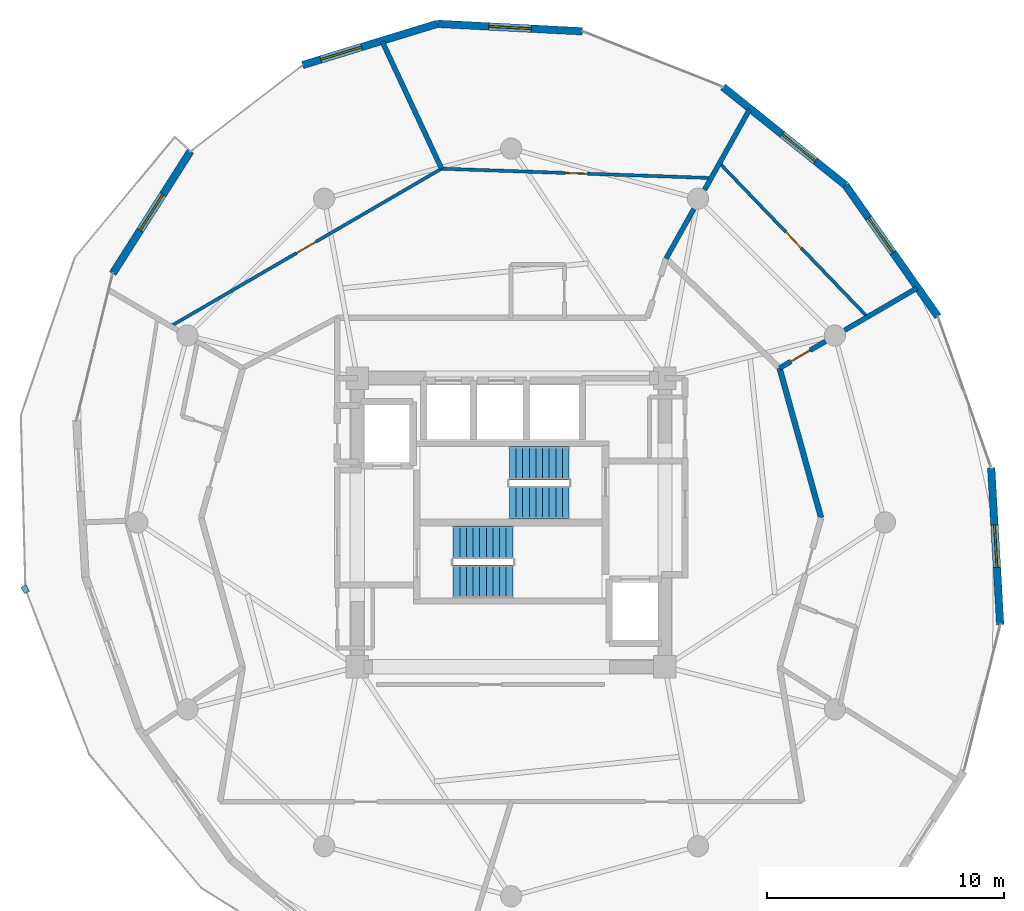
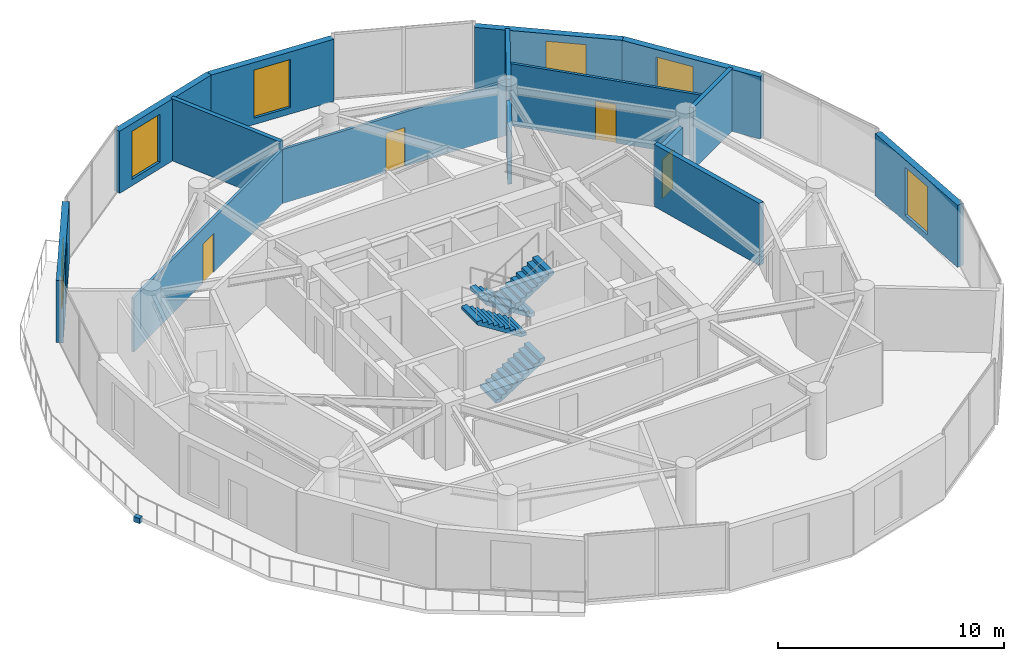
# One storey, part 16 of 18: 15 walls, 6 windows, 4 doors, 4 stair flights, 1 discrete accessory, 10 openings, 2 elements without a shape of their own.
"""IFC4 building model written with IfcOpenShell, lengths in metres."""

import ifcopenshell
import ifcopenshell.guid

model = None  # the IFC model being written
_history = None  # IfcOwnerHistory: only IFC2X3 demands one
_inside = {}  # id of a spatial element -> (the spatial element, [elements in it])
_under = {}  # id of a project, library or spatial element -> (it, [spatial elements below it])
_declared = {}  # id of a project -> (the project, [libraries it declares])
_typed = {}  # id of a type object -> (the type object, [elements of that type])
_made_of = {}  # id of a material, layer set ... -> (it, [elements and type objects made of it])


def new_model(schema):
    """Start an empty IFC model of exactly this schema.

    Asked for "IFC4X3", IfcOpenShell would pick the latest addendum, in which some entities
    have other attributes; the version numbers below select the first issue.
    IFC2X3 requires an IfcOwnerHistory on every rooted entity: one is made here for all.
    """
    global model, _history
    if schema == "IFC4X3":
        model = ifcopenshell.file(schema_version=(4, 3, 0, 0))
    else:
        model = ifcopenshell.file(schema=schema)
    _inside.clear()
    _under.clear()
    _declared.clear()
    _typed.clear()
    _made_of.clear()
    _history = None
    if model.schema == "IFC2X3":
        org = make("IfcOrganization", Name="unknown")
        user = make(
            "IfcPersonAndOrganization",
            ThePerson=make("IfcPerson", FamilyName="unknown"),
            TheOrganization=org,
        )
        app = make(
            "IfcApplication",
            ApplicationDeveloper=org,
            Version="unknown",
            ApplicationFullName="unknown",
            ApplicationIdentifier="unknown",
        )
        _history = make(
            "IfcOwnerHistory",
            OwningUser=user,
            OwningApplication=app,
            ChangeAction="ADDED",
            CreationDate=0,
        )
    return model


def make(cls, **values):
    """One entity of the class cls with the attributes given. An attribute that is None is left unset."""
    return model.create_entity(
        cls, **{name: value for name, value in values.items() if value is not None}
    )


def rooted(cls, **values):
    """An entity with a GlobalId (a new one), such as an element, a storey or a relation."""
    return make(cls, GlobalId=ifcopenshell.guid.new(), OwnerHistory=_history, **values)


def si_unit(unit_type, name, prefix=None):
    """IfcSIUnit, for example si_unit("LENGTHUNIT", "METRE", prefix="MILLI")."""
    return make("IfcSIUnit", UnitType=unit_type, Prefix=prefix, Name=name)


def assignment(units):
    """IfcUnitAssignment: the units of a project."""
    return None if units is None else make("IfcUnitAssignment", Units=units)


def point(xyz):
    """IfcCartesianPoint."""
    return None if xyz is None else make("IfcCartesianPoint", Coordinates=xyz)


def direction(xyz):
    """IfcDirection."""
    return None if xyz is None else make("IfcDirection", DirectionRatios=xyz)


def frame(location, z_axis=None, x_axis=None):
    """IfcAxis2Placement3D, a coordinate frame: its origin and axes. An axis left out is left unset."""
    return make(
        "IfcAxis2Placement3D",
        Location=point(location),
        Axis=direction(z_axis),
        RefDirection=direction(x_axis),
    )


def frame_2d(location, x_axis=None):
    """IfcAxis2Placement2D, a coordinate frame in the plane: its origin and x axis."""
    return make(
        "IfcAxis2Placement2D", Location=point(location), RefDirection=direction(x_axis)
    )


def origin():
    """The frame at (0, 0, 0) with its axes left unset."""
    return frame((0.0, 0.0, 0.0))


def origin_2d():
    """The frame at (0, 0) in the plane with its x axis left unset."""
    return frame_2d((0.0, 0.0))


def place(relative_to, where):
    """IfcLocalPlacement: puts the frame where relative to a parent placement (None: the world)."""
    return make(
        "IfcLocalPlacement", PlacementRelTo=relative_to, RelativePlacement=where
    )


def context(
    kind, dimensions, precision=None, world=None, true_north=None, identifier=None
):
    """IfcGeometricRepresentationContext, for example the 3D "Model" context."""
    return make(
        "IfcGeometricRepresentationContext",
        ContextIdentifier=identifier,
        ContextType=kind,
        CoordinateSpaceDimension=dimensions,
        Precision=precision,
        WorldCoordinateSystem=world,
        TrueNorth=true_north,
    )


def subcontext(parent, identifier, kind, view, scale=None):
    """IfcGeometricRepresentationSubContext, for example "Body" below "Model"."""
    return make(
        "IfcGeometricRepresentationSubContext",
        ContextIdentifier=identifier,
        ContextType=kind,
        ParentContext=parent,
        TargetScale=scale,
        TargetView=view,
    )


def project(units=None, contexts=None):
    """IfcProject with its units and contexts."""
    return rooted(
        "IfcProject",
        Name="project",
        RepresentationContexts=contexts,
        UnitsInContext=assignment(units),
    )


def spatial(cls, under=None, at=None, **own):
    """A site, building, storey or space (cls), placed at a placement, below another one or the project."""
    s = rooted(cls, ObjectPlacement=at, **own)
    if under is not None:
        _under.setdefault(under.id(), (under, []))[1].append(s)
    return s


def polyline(points):
    """IfcPolyline through the points."""
    return make("IfcPolyline", Points=[point(p) for p in points])


def profile(cls, at=None, kind="AREA", **sizes):
    """A parametric profile (cls). Its sizes go by their IFC names, for example OverallWidth=200.0."""
    return make(cls, ProfileType=kind, Position=at, **sizes)


def rectangle(**sizes):
    """IfcRectangleProfileDef."""
    return profile("IfcRectangleProfileDef", **sizes)


def outline(outer, holes=None, kind="AREA"):
    """IfcArbitraryClosedProfileDef: a profile drawn as a closed curve; with holes, ...WithVoids."""
    if holes is None:
        return make("IfcArbitraryClosedProfileDef", ProfileType=kind, OuterCurve=outer)
    return make(
        "IfcArbitraryProfileDefWithVoids",
        ProfileType=kind,
        OuterCurve=outer,
        InnerCurves=holes,
    )


def extrude(swept, where, along, depth):
    """IfcExtrudedAreaSolid: the profile swept, set in the frame where, extruded along a direction by depth."""
    return make(
        "IfcExtrudedAreaSolid",
        SweptArea=swept,
        Position=where,
        ExtrudedDirection=direction(along),
        Depth=depth,
    )


def shape(context_of_items, identifier, shape_type, items):
    """IfcShapeRepresentation: the items that make up one representation, for example the "Body"."""
    return make(
        "IfcShapeRepresentation",
        ContextOfItems=context_of_items,
        RepresentationIdentifier=identifier,
        RepresentationType=shape_type,
        Items=items,
    )


def material(Name=None, Category=None):
    """IfcMaterial."""
    return make("IfcMaterial", Name=Name, Category=Category)


def layer(
    of_material, thickness, ventilated=None, Name=None, Category=None, Priority=None
):
    """IfcMaterialLayer: one layer of a wall or slab, of a material (None: an air gap)."""
    return make(
        "IfcMaterialLayer",
        Material=of_material,
        LayerThickness=thickness,
        IsVentilated=ventilated,
        Name=Name,
        Category=Category,
        Priority=Priority,
    )


def layer_set(layers, Name=None):
    """IfcMaterialLayerSet."""
    return make("IfcMaterialLayerSet", MaterialLayers=layers, LayerSetName=Name)


def made_of(thing, what):
    """Note that an element or type object is made of a material, layer set ...; save() writes the relation."""
    if what is not None:
        _made_of.setdefault(what.id(), (what, []))[1].append(thing)
    return thing


def type_object(cls, material=None, **own):
    """A type object (cls), such as IfcWallType, which elements share."""
    return made_of(rooted(cls, **own), material)


def element(
    cls,
    number,
    at=None,
    inside=None,
    cuts=None,
    type_object=None,
    material=None,
    context=None,
    identifier="Body",
    shape_type=None,
    held_by="IfcProductDefinitionShape",
    body=None,
    shapes=None,
    **own,
):
    """One element of the class cls, such as IfcWall. Its Tag is "e" and its number.

    at: its placement. inside: the storey or other place that contains it. cuts: it is an
    opening in that element (IfcRelVoidsElement). A single representation is given by context,
    identifier, shape_type and body (its items); several are given by shapes. held_by: the class
    of the entity that holds the representations. save() writes the other relations.
    """
    e = rooted(cls, Tag="e%d" % number, ObjectPlacement=at, **own)
    if body is not None:
        shapes = [shape(context, identifier, shape_type, body)]
    if shapes is not None:
        e.Representation = make(held_by, Representations=shapes)
    if inside is not None:
        _inside.setdefault(inside.id(), (inside, []))[1].append(e)
    if cuts is not None:
        rooted(
            "IfcRelVoidsElement", RelatingBuildingElement=cuts, RelatedOpeningElement=e
        )
    if type_object is not None:
        _typed.setdefault(type_object.id(), (type_object, []))[1].append(e)
    return made_of(e, material)


def fill(opening, filler):
    """IfcRelFillsElement: the door or window that sits in an opening."""
    return rooted(
        "IfcRelFillsElement",
        RelatingOpeningElement=opening,
        RelatedBuildingElement=filler,
    )


def aggregate(whole, parts):
    """IfcRelAggregates: a whole, such as a stair, and the parts it consists of."""
    return rooted("IfcRelAggregates", RelatingObject=whole, RelatedObjects=parts)


def save(model, path):
    """Write the relations noted so far, then the file.

    IfcRelAggregates (storeys below a building ...), IfcRelContainedInSpatialStructure (elements
    in a storey), IfcRelDefinesByType, IfcRelAssociatesMaterial and IfcRelDeclares: one each for
    every whole, place, type object, material and project.
    """
    for whole, parts in _under.values():
        aggregate(whole, parts)
    for where, things in _inside.values():
        rooted(
            "IfcRelContainedInSpatialStructure",
            RelatedElements=things,
            RelatingStructure=where,
        )
    for kind, things in _typed.values():
        rooted("IfcRelDefinesByType", RelatedObjects=things, RelatingType=kind)
    for what, things in _made_of.values():
        rooted("IfcRelAssociatesMaterial", RelatedObjects=things, RelatingMaterial=what)
    for by, libraries in _declared.values():
        rooted("IfcRelDeclares", RelatingContext=by, RelatedDefinitions=libraries)
    model.write(path)


model = new_model("IFC4")

# Units and contexts
model_context = context("Model", 3, precision=1e-05, world=origin(), true_north=direction((0.0, 1.0)))
body_context = subcontext(model_context, "Body", "Model", "MODEL_VIEW")
ifc_project = project(units=[si_unit("LENGTHUNIT", "METRE"), si_unit("AREAUNIT", "SQUARE_METRE"), si_unit("VOLUMEUNIT", "CUBIC_METRE"), si_unit("PLANEANGLEUNIT", "RADIAN"), si_unit("MASSUNIT", "GRAM", prefix="KILO")], contexts=[model_context])

# Site, building, storey
site_placement = place(None, origin())
site = spatial("IfcSite", under=ifc_project, at=site_placement, CompositionType="ELEMENT")
building_placement = place(site_placement, origin())
building = spatial("IfcBuilding", under=site, at=building_placement, Name="Solvirekh Grand Hotel", CompositionType="ELEMENT")
storey_placement = place(building_placement, frame((0.0, 0.0, 198.39990234375)))
storey = spatial("IfcBuildingStorey", under=building, at=storey_placement, Name="L51", CompositionType="ELEMENT", Elevation=198.39990234375)

# Wall, opening, window
ifc_material_1 = material(Name="Precast concrete C45/55", Category="concrete")
ifc_layer_1 = layer(ifc_material_1, 0.320068359375)
ifc_layer_set_1 = layer_set([ifc_layer_1], Name="Precast concrete C45/55")
wall_type_1 = type_object("IfcWallType", Name="ExtLobbyWall_RC320", PredefinedType="SOLIDWALL", material=ifc_layer_set_1)
wall_1_placement = place(storey_placement, frame((20.291015625, 2.30908203125, 0.0), z_axis=(0.0, 0.0, 1.0), x_axis=(0.057238356755, -0.998360541346, 0.0)))
wall_1 = element("IfcWall", 1, at=wall_1_placement, inside=storey, type_object=wall_type_1, Name="L51 exterior structural wall chord 4", PredefinedType="SOLIDWALL", context=body_context, shape_type="SweptSolid", body=[
    extrude(rectangle(XDim=6.636962890625, YDim=0.320068359375, at=frame_2d((3.318359375, 0.0))), origin(), (0.0, 0.0, 1.0), 3.360107421875),
])
opening_1_placement = place(wall_1_placement, frame((2.41796875, 0.0, 0.35009765625)))
opening_1 = element("IfcOpeningElement", 2, at=opening_1_placement, cuts=wall_1, Name="Opening W02", PredefinedType="OPENING", context=body_context, shape_type="SweptSolid", body=[
    extrude(rectangle(XDim=1.800048828125, YDim=2.60009765625, at=frame_2d((0.89990234375, 1.300048828125))), frame((0.0, 0.169921875, 0.0), z_axis=(0.0, -1.0, 0.0), x_axis=(1.0, 0.0, 0.0)), (0.0, 0.0, 1.0), 0.340087890625),
])
ifc_material_2 = material(Name="Low-E Tinted Bronze Laminated Glass", Category="aluminium")
window_type = type_object("IfcWindowType", Name="Win_LobbyExt_1800X2600", PartitioningType="SINGLE_PANEL", PredefinedType="WINDOW", material=ifc_material_2)
window_1_placement = place(opening_1_placement, origin())
window_1 = element("IfcWindow", 3, at=window_1_placement, inside=storey, type_object=window_type, Name="L51 panoramic bronze-framed window 4", OverallHeight=2.60009765625, OverallWidth=1.800048828125, PartitioningType="SINGLE_PANEL", PredefinedType="WINDOW", context=body_context, shape_type="SweptSolid", body=[
    extrude(rectangle(XDim=1.800048828125, YDim=2.60009765625, at=frame_2d((0.89990234375, 1.300048828125))), frame((0.0, 0.030029296875, 0.0), z_axis=(0.0, -1.0, 0.0), x_axis=(1.0, 0.0, 0.0)), (0.0, 0.0, 1.0), 0.06005859375),
])
fill(opening_1, window_1)

wall_2_placement = place(storey_placement, frame((14.1298828125, 14.256103515625, 0.0), z_axis=(0.0, 0.0, 1.0), x_axis=(0.575790136357, -0.817597528662, 0.0)))
wall_2 = element("IfcWall", 4, at=wall_2_placement, inside=storey, type_object=wall_type_1, Name="L51 exterior structural wall chord 6", PredefinedType="SOLIDWALL", context=body_context, shape_type="SweptSolid", body=[
    extrude(rectangle(XDim=6.785888671875, YDim=0.320068359375, at=frame_2d((3.39306640625, 0.0))), origin(), (0.0, 0.0, 1.0), 3.360107421875),
])
opening_2_placement = place(wall_2_placement, frame((1.698974609375, 0.0, 0.35009765625)))
opening_2 = element("IfcOpeningElement", 5, at=opening_2_placement, cuts=wall_2, Name="Opening W02", PredefinedType="OPENING", context=body_context, shape_type="SweptSolid", body=[
    extrude(rectangle(XDim=1.800048828125, YDim=2.60009765625, at=frame_2d((0.89990234375, 1.300048828125))), frame((0.0, 0.169921875, 0.0), z_axis=(0.0, -1.0, 0.0), x_axis=(1.0, 0.0, 0.0)), (0.0, 0.0, 1.0), 0.340087890625),
])
window_2_placement = place(opening_2_placement, origin())
window_2 = element("IfcWindow", 6, at=window_2_placement, inside=storey, type_object=window_type, Name="L51 panoramic bronze-framed window 6", OverallHeight=2.60009765625, OverallWidth=1.800048828125, PartitioningType="SINGLE_PANEL", PredefinedType="WINDOW", context=body_context, shape_type="SweptSolid", body=[
    extrude(rectangle(XDim=1.800048828125, YDim=2.60009765625, at=frame_2d((0.89990234375, 1.300048828125))), frame((0.0, 0.030029296875, 0.0), z_axis=(0.0, -1.0, 0.0), x_axis=(1.0, 0.0, 0.0)), (0.0, 0.0, 1.0), 0.06005859375),
])
fill(opening_2, window_2)

wall_3_placement = place(storey_placement, frame((8.951904296875, 18.407958984375, 0.0), z_axis=(0.0, 0.0, 1.0), x_axis=(0.780172101925, -0.625564937778, 0.0)))
wall_3 = element("IfcWall", 7, at=wall_3_placement, inside=storey, type_object=wall_type_1, Name="L51 exterior structural wall chord 7", PredefinedType="SOLIDWALL", context=body_context, shape_type="SweptSolid", body=[
    extrude(rectangle(XDim=6.636962890625, YDim=0.320068359375, at=frame_2d((3.318359375, 0.0))), origin(), (0.0, 0.0, 1.0), 3.360107421875),
])
opening_3_placement = place(wall_3_placement, frame((3.2060546875, 0.0, 0.35009765625)))
opening_3 = element("IfcOpeningElement", 8, at=opening_3_placement, cuts=wall_3, Name="Opening W02", PredefinedType="OPENING", context=body_context, shape_type="SweptSolid", body=[
    extrude(rectangle(XDim=1.800048828125, YDim=2.60009765625, at=frame_2d((0.89990234375, 1.300048828125))), frame((0.0, 0.169921875, 0.0), z_axis=(0.0, -1.0, 0.0), x_axis=(1.0, 0.0, 0.0)), (0.0, 0.0, 1.0), 0.340087890625),
])
window_3_placement = place(opening_3_placement, origin())
window_3 = element("IfcWindow", 9, at=window_3_placement, inside=storey, type_object=window_type, Name="L51 panoramic bronze-framed window 7", OverallHeight=2.60009765625, OverallWidth=1.800048828125, PartitioningType="SINGLE_PANEL", PredefinedType="WINDOW", context=body_context, shape_type="SweptSolid", body=[
    extrude(rectangle(XDim=1.800048828125, YDim=2.60009765625, at=frame_2d((0.89990234375, 1.300048828125))), frame((0.0, 0.030029296875, 0.0), z_axis=(0.0, -1.0, 0.0), x_axis=(1.0, 0.0, 0.0)), (0.0, 0.0, 1.0), 0.06005859375),
])
fill(opening_3, window_3)

wall_4_placement = place(storey_placement, frame((-3.113037109375, 21.075927734375, 0.0), z_axis=(0.0, 0.0, 1.0), x_axis=(0.998655620393, -0.051835816367, 0.0)))
wall_4 = element("IfcWall", 10, at=wall_4_placement, inside=storey, type_object=wall_type_1, Name="L51 exterior structural wall chord 9", PredefinedType="SOLIDWALL", context=body_context, shape_type="SweptSolid", body=[
    extrude(rectangle(XDim=6.13232421875, YDim=0.320068359375, at=frame_2d((3.066162109375, 0.0))), origin(), (0.0, 0.0, 1.0), 3.360107421875),
])
opening_4_placement = place(wall_4_placement, frame((2.166015625, 0.0, 0.35009765625)))
opening_4 = element("IfcOpeningElement", 11, at=opening_4_placement, cuts=wall_4, Name="Opening W02", PredefinedType="OPENING", context=body_context, shape_type="SweptSolid", body=[
    extrude(rectangle(XDim=1.800048828125, YDim=2.60009765625, at=frame_2d((0.89990234375, 1.300048828125))), frame((0.0, 0.169921875, 0.0), z_axis=(0.0, -1.0, 0.0), x_axis=(1.0, 0.0, 0.0)), (0.0, 0.0, 1.0), 0.340087890625),
])
window_4_placement = place(opening_4_placement, origin())
window_4 = element("IfcWindow", 12, at=window_4_placement, inside=storey, type_object=window_type, Name="L51 panoramic bronze-framed window 9", OverallHeight=2.60009765625, OverallWidth=1.800048828125, PartitioningType="SINGLE_PANEL", PredefinedType="WINDOW", context=body_context, shape_type="SweptSolid", body=[
    extrude(rectangle(XDim=1.800048828125, YDim=2.60009765625, at=frame_2d((0.89990234375, 1.300048828125))), frame((0.0, 0.030029296875, 0.0), z_axis=(0.0, -1.0, 0.0), x_axis=(1.0, 0.0, 0.0)), (0.0, 0.0, 1.0), 0.06005859375),
])
fill(opening_4, window_4)

wall_5_placement = place(storey_placement, frame((-8.819091796875, 19.3310546875, 0.0), z_axis=(0.0, 0.0, 1.0), x_axis=(0.956288023308, 0.292426429171, 0.0)))
wall_5 = element("IfcWall", 13, at=wall_5_placement, inside=storey, type_object=wall_type_1, Name="L51 exterior structural wall chord 10", PredefinedType="SOLIDWALL", context=body_context, shape_type="SweptSolid", body=[
    extrude(rectangle(XDim=5.966796875, YDim=0.320068359375, at=frame_2d((2.9833984375, 0.0))), origin(), (0.0, 0.0, 1.0), 3.360107421875),
])
opening_5_placement = place(wall_5_placement, frame((0.80810546875, 0.0, 0.35009765625)))
opening_5 = element("IfcOpeningElement", 14, at=opening_5_placement, cuts=wall_5, Name="Opening W02", PredefinedType="OPENING", context=body_context, shape_type="SweptSolid", body=[
    extrude(rectangle(XDim=1.800048828125, YDim=2.60009765625, at=frame_2d((0.89990234375, 1.300048828125))), frame((0.0, 0.169921875, 0.0), z_axis=(0.0, -1.0, 0.0), x_axis=(1.0, 0.0, 0.0)), (0.0, 0.0, 1.0), 0.340087890625),
])
window_5_placement = place(opening_5_placement, origin())
window_5 = element("IfcWindow", 15, at=window_5_placement, inside=storey, type_object=window_type, Name="L51 panoramic bronze-framed window 10", OverallHeight=2.60009765625, OverallWidth=1.800048828125, PartitioningType="SINGLE_PANEL", PredefinedType="WINDOW", context=body_context, shape_type="SweptSolid", body=[
    extrude(rectangle(XDim=1.800048828125, YDim=2.60009765625, at=frame_2d((0.89990234375, 1.300048828125))), frame((0.0, 0.030029296875, 0.0), z_axis=(0.0, -1.0, 0.0), x_axis=(1.0, 0.0, 0.0)), (0.0, 0.0, 1.0), 0.06005859375),
])
fill(opening_5, window_5)

wall_6_placement = place(storey_placement, frame((-16.841064453125, 10.52001953125, 0.0), z_axis=(0.0, 0.0, 1.0), x_axis=(0.536805938934, 0.843705744869, 0.0)))
wall_6 = element("IfcWall", 16, at=wall_6_placement, inside=storey, type_object=wall_type_1, Name="L51 exterior structural wall chord 12", PredefinedType="SOLIDWALL", context=body_context, shape_type="SweptSolid", body=[
    extrude(rectangle(XDim=6.132568359375, YDim=0.320068359375, at=frame_2d((3.06640625, 0.0))), origin(), (0.0, 0.0, 1.0), 3.360107421875),
])
opening_6_placement = place(wall_6_placement, frame((2.166015625, 0.0, 0.35009765625)))
opening_6 = element("IfcOpeningElement", 17, at=opening_6_placement, cuts=wall_6, Name="Opening W02", PredefinedType="OPENING", context=body_context, shape_type="SweptSolid", body=[
    extrude(rectangle(XDim=1.800048828125, YDim=2.60009765625, at=frame_2d((0.89990234375, 1.300048828125))), frame((0.0, 0.169921875, 0.0), z_axis=(0.0, -1.0, 0.0), x_axis=(1.0, 0.0, 0.0)), (0.0, 0.0, 1.0), 0.340087890625),
])
window_6_placement = place(opening_6_placement, origin())
window_6 = element("IfcWindow", 18, at=window_6_placement, inside=storey, type_object=window_type, Name="L51 panoramic bronze-framed window 12", OverallHeight=2.60009765625, OverallWidth=1.800048828125, PartitioningType="SINGLE_PANEL", PredefinedType="WINDOW", context=body_context, shape_type="SweptSolid", body=[
    extrude(rectangle(XDim=1.800048828125, YDim=2.60009765625, at=frame_2d((0.89990234375, 1.300048828125))), frame((0.0, 0.030029296875, 0.0), z_axis=(0.0, -1.0, 0.0), x_axis=(1.0, 0.0, 0.0)), (0.0, 0.0, 1.0), 0.06005859375),
])
fill(opening_6, window_6)

# Wall
ifc_material_3 = material(Name="Acoustic Gypsum Partition Assembly")
ifc_layer_2 = layer(ifc_material_3, 0.239990234375)
ifc_layer_set_2 = layer_set([ifc_layer_2], Name="Acoustic Gypsum Partition Assembly")
wall_type_2 = type_object("IfcWallType", Name="Part_Corridor_240", PredefinedType="PARTITIONING", material=ifc_layer_set_2)
wall_7_placement = place(storey_placement, frame((13.10009765625, 0.199951171875, 0.0), z_axis=(0.0, 0.0, 1.0), x_axis=(-0.26738871748, 0.963588747218, 0.0)))
element("IfcWall", 19, at=wall_7_placement, inside=storey, type_object=wall_type_2, Name="L51 Diplomatic Suite 5303 Living Room corridor wall 1", PredefinedType="PARTITIONING", context=body_context, shape_type="SweptSolid", body=[
    extrude(rectangle(XDim=6.56396484375, YDim=0.239990234375, at=frame_2d((3.281982421875, 0.0))), origin(), (0.0, 0.0, 1.0), 3.360107421875),
])

# Wall, opening, door
ifc_layer_3 = layer(ifc_material_3, 0.135009765625)
ifc_layer_set_3 = layer_set([ifc_layer_3], Name="Acoustic Gypsum Partition Assembly")
wall_type_3 = type_object("IfcWallType", Name="Part_RoomInt_135", PredefinedType="PARTITIONING", material=ifc_layer_set_3)
wall_8_placement = place(storey_placement, frame((-2.93994140625, 14.951904296875, 0.0), z_axis=(0.0, 0.0, 1.0), x_axis=(0.999399675895, -0.034645170236, 0.0)))
wall_8 = element("IfcWall", 20, at=wall_8_placement, inside=storey, type_object=wall_type_3, Name="L51 Panorama Suite 5301 North Sitting Room bedroom screen wall", PredefinedType="PARTITIONING", context=body_context, shape_type="SweptSolid", body=[
    extrude(rectangle(XDim=11.40185546875, YDim=0.135009765625, at=frame_2d((5.700927734375, 0.0))), origin(), (0.0, 0.0, 1.0), 2.92919921875),
])
opening_7_placement = place(wall_8_placement, frame((5.22607421875, 0.0, 0.0)))
opening_7 = element("IfcOpeningElement", 21, at=opening_7_placement, cuts=wall_8, Name="Opening D10", PredefinedType="OPENING", context=body_context, shape_type="SweptSolid", body=[
    extrude(rectangle(XDim=0.949951171875, YDim=2.10009765625, at=frame_2d((0.47509765625, 1.050048828125))), frame((0.0, 0.07763671875, 0.0), z_axis=(0.0, -1.0, 0.0), x_axis=(1.0, 0.0, 0.0)), (0.0, 0.0, 1.0), 0.155029296875),
])
ifc_material_4 = material(Name="Anodized Bronze Aluminium 6063-T6", Category="aluminium")
door_type = type_object("IfcDoorType", Name="Door_RoomInt_950X2100", OperationType="NOTDEFINED", PredefinedType="DOOR", material=ifc_material_4)
door_1_placement = place(opening_7_placement, origin())
door_1 = element("IfcDoor", 22, at=door_1_placement, inside=storey, type_object=door_type, Name="L51 Panorama Suite 5301 North Sitting Room master bedroom door", OperationType="SINGLE_SWING_RIGHT", OverallHeight=2.10009765625, OverallWidth=0.949951171875, PredefinedType="DOOR", context=body_context, shape_type="SweptSolid", body=[
    extrude(rectangle(XDim=0.949951171875, YDim=2.10009765625, at=frame_2d((0.47509765625, 1.050048828125))), frame((0.0, 0.02490234375, 0.0), z_axis=(0.0, -1.0, 0.0), x_axis=(1.0, 0.0, 0.0)), (0.0, 0.0, 1.0), 0.050048828125),
])
fill(opening_7, door_1)

wall_9_placement = place(storey_placement, frame((-14.386962890625, 8.294921875, 0.0), z_axis=(0.0, 0.0, 1.0), x_axis=(0.864450171357, 0.502718510939, 0.0)))
wall_9 = element("IfcWall", 23, at=wall_9_placement, inside=storey, type_object=wall_type_3, Name="L51 Panorama Suite 5301 Observatory Library bedroom screen wall", PredefinedType="PARTITIONING", context=body_context, shape_type="SweptSolid", body=[
    extrude(rectangle(XDim=13.241943359375, YDim=0.135009765625, at=frame_2d((6.62109375, 0.0))), origin(), (0.0, 0.0, 1.0), 2.92919921875),
])
opening_8_placement = place(wall_9_placement, frame((6.14599609375, 0.0, 0.0)))
opening_8 = element("IfcOpeningElement", 24, at=opening_8_placement, cuts=wall_9, Name="Opening D10", PredefinedType="OPENING", context=body_context, shape_type="SweptSolid", body=[
    extrude(rectangle(XDim=0.949951171875, YDim=2.10009765625, at=frame_2d((0.47509765625, 1.050048828125))), frame((0.0, 0.07763671875, 0.0), z_axis=(0.0, -1.0, 0.0), x_axis=(1.0, 0.0, 0.0)), (0.0, 0.0, 1.0), 0.155029296875),
])
door_2_placement = place(opening_8_placement, origin())
door_2 = element("IfcDoor", 25, at=door_2_placement, inside=storey, type_object=door_type, Name="L51 Panorama Suite 5301 Observatory Library master bedroom door", OperationType="SINGLE_SWING_LEFT", OverallHeight=2.10009765625, OverallWidth=0.949951171875, PredefinedType="DOOR", context=body_context, shape_type="SweptSolid", body=[
    extrude(rectangle(XDim=0.949951171875, YDim=2.10009765625, at=frame_2d((0.47509765625, 1.050048828125))), frame((0.0, 0.02490234375, 0.0), z_axis=(0.0, -1.0, 0.0), x_axis=(1.0, 0.0, 0.0)), (0.0, 0.0, 1.0), 0.050048828125),
])
fill(opening_8, door_2)

wall_10_placement = place(storey_placement, frame((15.05908203125, 8.68603515625, 0.0), z_axis=(0.0, 0.0, 1.0), x_axis=(-0.693110880217, 0.72083098416, 0.0)))
wall_10 = element("IfcWall", 26, at=wall_10_placement, inside=storey, type_object=wall_type_3, Name="L51 Diplomatic Suite 5303 Suite Foyer bedroom screen wall", PredefinedType="PARTITIONING", context=body_context, shape_type="SweptSolid", body=[
    extrude(rectangle(XDim=9.018798828125, YDim=0.135009765625, at=frame_2d((4.50927734375, 0.0))), origin(), (0.0, 0.0, 1.0), 3.360107421875),
])
opening_9_placement = place(wall_10_placement, frame((4.033935546875, 0.0, 0.0)))
opening_9 = element("IfcOpeningElement", 27, at=opening_9_placement, cuts=wall_10, Name="Opening D10", PredefinedType="OPENING", context=body_context, shape_type="SweptSolid", body=[
    extrude(rectangle(XDim=0.949951171875, YDim=2.10009765625, at=frame_2d((0.47509765625, 1.050048828125))), frame((0.0, 0.07763671875, 0.0), z_axis=(0.0, -1.0, 0.0), x_axis=(1.0, 0.0, 0.0)), (0.0, 0.0, 1.0), 0.155029296875),
])
door_3_placement = place(opening_9_placement, origin())
door_3 = element("IfcDoor", 28, at=door_3_placement, inside=storey, type_object=door_type, Name="L51 Diplomatic Suite 5303 Suite Foyer master bedroom door", OperationType="SINGLE_SWING_LEFT", OverallHeight=2.10009765625, OverallWidth=0.949951171875, PredefinedType="DOOR", context=body_context, shape_type="SweptSolid", body=[
    extrude(rectangle(XDim=0.949951171875, YDim=2.10009765625, at=frame_2d((0.47509765625, 1.050048828125))), frame((0.0, 0.02490234375, 0.0), z_axis=(0.0, -1.0, 0.0), x_axis=(1.0, 0.0, 0.0)), (0.0, 0.0, 1.0), 0.050048828125),
])
fill(opening_9, door_3)

ifc_layer_4 = layer(ifc_material_3, 0.2099609375)
ifc_layer_set_4 = layer_set([ifc_layer_4], Name="Acoustic Gypsum Partition Assembly")
wall_type_4 = type_object("IfcWallType", Name="Part_SuiteDemise_210", PredefinedType="PARTITIONING", material=ifc_layer_set_4)
wall_11_placement = place(storey_placement, frame((11.344970703125, 6.52490234375, 0.0), z_axis=(0.0, 0.0, 1.0), x_axis=(0.864228712324, 0.5030991282, 0.0)))
wall_11 = element("IfcWall", 29, at=wall_11_placement, inside=storey, type_object=wall_type_4, Name="L51 suite radial wall 2 (A)", PredefinedType="PARTITIONING", context=body_context, shape_type="SweptSolid", body=[
    extrude(rectangle(XDim=2.242431640625, YDim=0.2099609375, at=frame_2d((1.12109375, 0.0))), origin(), (0.0, 0.0, 1.0), 2.8759765625),
])
opening_10_placement = place(wall_11_placement, frame((0.550048828125, 0.0, 0.0)))
opening_10 = element("IfcOpeningElement", 30, at=opening_10_placement, cuts=wall_11, Name="Opening D10", PredefinedType="OPENING", context=body_context, shape_type="SweptSolid", body=[
    extrude(rectangle(XDim=0.949951171875, YDim=2.10009765625, at=frame_2d((0.47509765625, 1.050048828125))), frame((0.0, 0.114990234375, 0.0), z_axis=(0.0, -1.0, 0.0), x_axis=(1.0, 0.0, 0.0)), (0.0, 0.0, 1.0), 0.22998046875),
])
door_4_placement = place(opening_10_placement, origin())
door_4 = element("IfcDoor", 31, at=door_4_placement, inside=storey, type_object=door_type, Name="L51 Diplomatic Suite 5303 Suite Foyer suite connecting door", OperationType="SINGLE_SWING_RIGHT", OverallHeight=2.10009765625, OverallWidth=0.949951171875, PredefinedType="DOOR", context=body_context, shape_type="SweptSolid", body=[
    extrude(rectangle(XDim=0.949951171875, YDim=2.10009765625, at=frame_2d((0.47509765625, 1.050048828125))), frame((0.0, 0.02490234375, 0.0), z_axis=(0.0, -1.0, 0.0), x_axis=(1.0, 0.0, 0.0)), (0.0, 0.0, 1.0), 0.050048828125),
])
fill(opening_10, door_4)

# Walls
wall_12_placement = place(storey_placement, frame((14.095947265625, 8.125, 0.0), z_axis=(0.0, 0.0, 1.0), x_axis=(0.864327572571, 0.502929266689, 0.0)))
element("IfcWall", 32, at=wall_12_placement, inside=storey, type_object=wall_type_4, Name="L51 suite radial wall 2 (B)", PredefinedType="PARTITIONING", context=body_context, shape_type="SweptSolid", body=[
    extrude(rectangle(XDim=3.531005859375, YDim=0.2099609375, at=frame_2d((1.765625, 0.0))), origin(), (0.0, 0.0, 1.0), 3.360107421875),
])
wall_13_placement = place(storey_placement, frame((6.550048828125, 11.155029296875, 0.0), z_axis=(0.0, 0.0, 1.0), x_axis=(0.488535184748, 0.872544195593, 0.0)))
element("IfcWall", 33, at=wall_13_placement, inside=storey, type_object=wall_type_4, Name="L51 suite radial wall 3 (A)", PredefinedType="PARTITIONING", context=body_context, shape_type="SweptSolid", body=[
    extrude(rectangle(XDim=2.398681640625, YDim=0.2099609375, at=frame_2d((1.19921875, 0.0))), origin(), (0.0, 0.0, 1.0), 2.8759765625),
])
wall_14_placement = place(storey_placement, frame((8.177978515625, 14.06201171875, 0.0), z_axis=(0.0, 0.0, 1.0), x_axis=(0.488561310484, 0.872529567349, 0.0)))
element("IfcWall", 34, at=wall_14_placement, inside=storey, type_object=wall_type_4, Name="L51 suite radial wall 3 (B)", PredefinedType="PARTITIONING", context=body_context, shape_type="SweptSolid", body=[
    extrude(rectangle(XDim=3.888671875, YDim=0.2099609375, at=frame_2d((1.9443359375, 0.0))), origin(), (0.0, 0.0, 1.0), 3.360107421875),
])
wall_15_placement = place(storey_placement, frame((-2.93994140625, 14.951904296875, 0.0), z_axis=(0.0, 0.0, 1.0), x_axis=(-0.422820045128, 0.906213666548, 0.0)))
element("IfcWall", 35, at=wall_15_placement, inside=storey, type_object=wall_type_4, Name="L51 Panorama Suite 5301 North Sitting Room dividing partition 1", PredefinedType="PARTITIONING", context=body_context, shape_type="SweptSolid", body=[
    extrude(rectangle(XDim=5.9248046875, YDim=0.2099609375, at=frame_2d((2.96240234375, 0.0))), origin(), (0.0, 0.0, 1.0), 3.360107421875),
])

# Stair, stair flights
ifc_material_5 = material(Name="Concrete C40/50", Category="concrete")
stair_type = type_object("IfcStairType", Name="Stair_Core_1450", PredefinedType="HALF_TURN_STAIR", material=ifc_material_5)
stair_1_placement = place(storey_placement, origin())
stair_1 = element("IfcStair", 36, at=stair_1_placement, inside=storey, type_object=stair_type, Name="L51 Enclosed exit stair ST-1", PredefinedType="HALF_TURN_STAIR")
stair_flight_type = type_object("IfcStairFlightType", Name="Flight_Core_1450", PredefinedType="STRAIGHT", material=ifc_material_5)
stair_flight_1_placement = place(storey_placement, frame((-2.449951171875, -2.5, 0.0), z_axis=(0.0, 0.0, 1.0), x_axis=(1.0, 0.0, 0.0)))
stair_flight_1 = element("IfcStairFlight", 37, at=stair_flight_1_placement, type_object=stair_flight_type, Name="ST-1 flight 1", NumberOfRisers=10, NumberOfTreads=9, PredefinedType="STRAIGHT", RiserHeight=0.18, TreadLength=0.28, context=body_context, shape_type="SweptSolid", body=[
    extrude(outline(polyline([(0.0, 0.0), (0.0, 0.179931640625), (0.280029296875, 0.179931640625), (0.280029296875, 0.360107421875), (0.56005859375, 0.360107421875), (0.56005859375, 0.5400390625), (0.840087890625, 0.5400390625), (0.840087890625, 0.719970703125), (1.1201171875, 0.719970703125), (1.1201171875, 0.89990234375), (1.39990234375, 0.89990234375), (1.39990234375, 1.080078125), (1.679931640625, 1.080078125), (1.679931640625, 1.260009765625), (1.9599609375, 1.260009765625), (1.9599609375, 1.43994140625), (2.239990234375, 1.43994140625), (2.239990234375, 1.6201171875), (2.52001953125, 1.6201171875), (2.52001953125, 1.800048828125), (2.52001953125, 1.44189453125), (0.277099609375, 0.0), (0.0, 0.0)])), frame((0.0, 0.699951171875, 0.0), z_axis=(0.0, -1.0, 0.0), x_axis=(1.0, 0.0, 0.0)), (0.0, 0.0, 1.0), 1.39990234375),
])
stair_flight_2_placement = place(storey_placement, frame((0.070068359375, -0.85009765625, 1.800048828125), z_axis=(0.0, 0.0, 1.0), x_axis=(-1.0, 0.0, 0.0)))
stair_flight_2 = element("IfcStairFlight", 38, at=stair_flight_2_placement, type_object=stair_flight_type, Name="ST-1 flight 2", NumberOfRisers=10, NumberOfTreads=9, PredefinedType="STRAIGHT", RiserHeight=0.18, TreadLength=0.28, context=body_context, shape_type="SweptSolid", body=[
    extrude(outline(polyline([(0.0, 0.0), (0.0, 0.179931640625), (0.280029296875, 0.179931640625), (0.280029296875, 0.360107421875), (0.56005859375, 0.360107421875), (0.56005859375, 0.5400390625), (0.840087890625, 0.5400390625), (0.840087890625, 0.719970703125), (1.1201171875, 0.719970703125), (1.1201171875, 0.89990234375), (1.39990234375, 0.89990234375), (1.39990234375, 1.080078125), (1.679931640625, 1.080078125), (1.679931640625, 1.260009765625), (1.9599609375, 1.260009765625), (1.9599609375, 1.43994140625), (2.239990234375, 1.43994140625), (2.239990234375, 1.6201171875), (2.52001953125, 1.6201171875), (2.52001953125, 1.800048828125), (2.52001953125, 1.44189453125), (0.277099609375, 0.0), (0.0, 0.0)])), frame((0.0, 0.699951171875, 0.0), z_axis=(0.0, -1.0, 0.0), x_axis=(1.0, 0.0, 0.0)), (0.0, 0.0, 1.0), 1.39990234375),
])
aggregate(stair_1, [stair_flight_1, stair_flight_2])

stair_2_placement = place(storey_placement, origin())
stair_2 = element("IfcStair", 39, at=stair_2_placement, inside=storey, type_object=stair_type, Name="L51 Enclosed exit stair ST-2", PredefinedType="HALF_TURN_STAIR")
stair_flight_3_placement = place(storey_placement, frame((2.449951171875, 2.5, 0.0), z_axis=(0.0, 0.0, 1.0), x_axis=(-1.0, 0.0, 0.0)))
stair_flight_3 = element("IfcStairFlight", 40, at=stair_flight_3_placement, type_object=stair_flight_type, Name="ST-2 flight 1", NumberOfRisers=10, NumberOfTreads=9, PredefinedType="STRAIGHT", RiserHeight=0.18, TreadLength=0.28, context=body_context, shape_type="SweptSolid", body=[
    extrude(outline(polyline([(0.0, 0.0), (0.0, 0.179931640625), (0.280029296875, 0.179931640625), (0.280029296875, 0.360107421875), (0.56005859375, 0.360107421875), (0.56005859375, 0.5400390625), (0.840087890625, 0.5400390625), (0.840087890625, 0.719970703125), (1.1201171875, 0.719970703125), (1.1201171875, 0.89990234375), (1.39990234375, 0.89990234375), (1.39990234375, 1.080078125), (1.679931640625, 1.080078125), (1.679931640625, 1.260009765625), (1.9599609375, 1.260009765625), (1.9599609375, 1.43994140625), (2.239990234375, 1.43994140625), (2.239990234375, 1.6201171875), (2.52001953125, 1.6201171875), (2.52001953125, 1.800048828125), (2.52001953125, 1.44189453125), (0.277099609375, 0.0), (0.0, 0.0)])), frame((0.0, 0.699951171875, 0.0), z_axis=(0.0, -1.0, 0.0), x_axis=(1.0, 0.0, 0.0)), (0.0, 0.0, 1.0), 1.39990234375),
])
stair_flight_4_placement = place(storey_placement, frame((-0.070068359375, 0.85009765625, 1.800048828125), z_axis=(0.0, 0.0, 1.0), x_axis=(1.0, 0.0, 0.0)))
stair_flight_4 = element("IfcStairFlight", 41, at=stair_flight_4_placement, type_object=stair_flight_type, Name="ST-2 flight 2", NumberOfRisers=10, NumberOfTreads=9, PredefinedType="STRAIGHT", RiserHeight=0.18, TreadLength=0.28, context=body_context, shape_type="SweptSolid", body=[
    extrude(outline(polyline([(0.0, 0.0), (0.0, 0.179931640625), (0.280029296875, 0.179931640625), (0.280029296875, 0.360107421875), (0.56005859375, 0.360107421875), (0.56005859375, 0.5400390625), (0.840087890625, 0.5400390625), (0.840087890625, 0.719970703125), (1.1201171875, 0.719970703125), (1.1201171875, 0.89990234375), (1.39990234375, 0.89990234375), (1.39990234375, 1.080078125), (1.679931640625, 1.080078125), (1.679931640625, 1.260009765625), (1.9599609375, 1.260009765625), (1.9599609375, 1.43994140625), (2.239990234375, 1.43994140625), (2.239990234375, 1.6201171875), (2.52001953125, 1.6201171875), (2.52001953125, 1.800048828125), (2.52001953125, 1.44189453125), (0.277099609375, 0.0), (0.0, 0.0)])), frame((0.0, 0.699951171875, 0.0), z_axis=(0.0, -1.0, 0.0), x_axis=(1.0, 0.0, 0.0)), (0.0, 0.0, 1.0), 1.39990234375),
])
aggregate(stair_2, [stair_flight_3, stair_flight_4])

# Discrete accessory
ifc_material_6 = material(Name="Steel S355", Category="steel")
discrete_accessory_type = type_object("IfcDiscreteAccessoryType", Name="Acc_ThermalBracket", PredefinedType="BRACKET", material=ifc_material_6)
discrete_accessory_placement = place(storey_placement, frame((-20.5390625, -2.823974609375, -0.27978515625), z_axis=(0.0, 0.0, 1.0), x_axis=(0.458649554484, -0.888617232655, 0.0)))
element("IfcDiscreteAccessory", 42, at=discrete_accessory_placement, inside=storey, type_object=discrete_accessory_type, Name="L51 balcony thermal-break bracket", PredefinedType="BRACKET", context=body_context, shape_type="SweptSolid", body=[
    extrude(rectangle(XDim=0.320068359375, YDim=0.239990234375, at=origin_2d()), origin(), (0.0, 0.0, 1.0), 0.280029296875),
])

save(model, "model.ifc")
